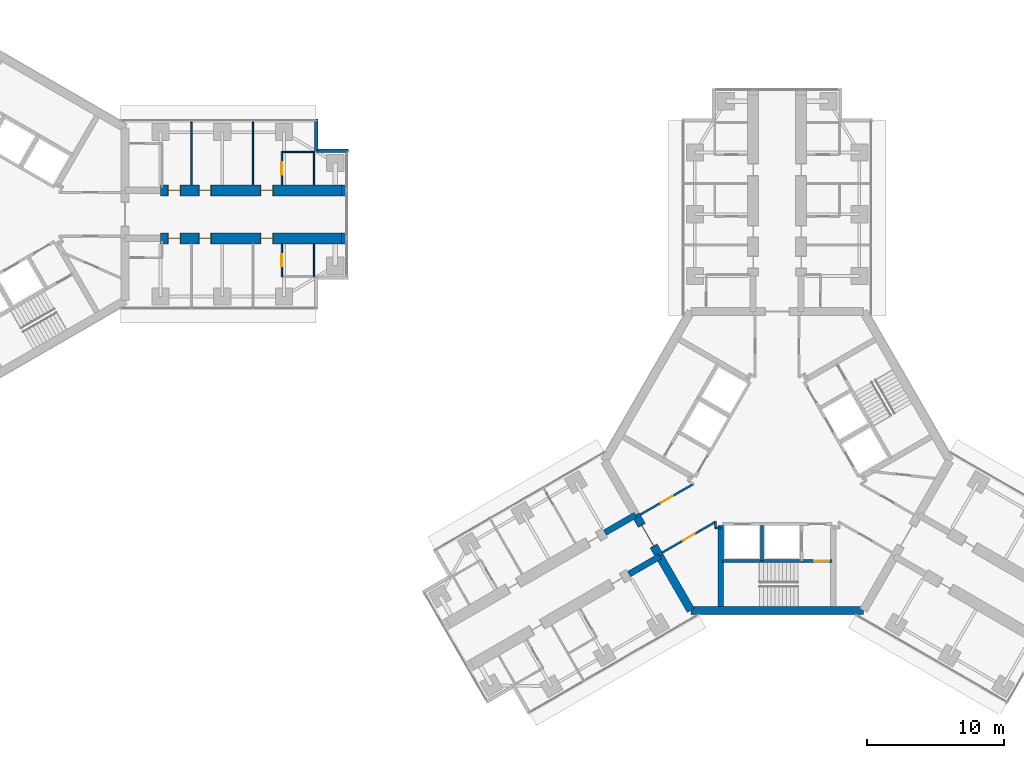
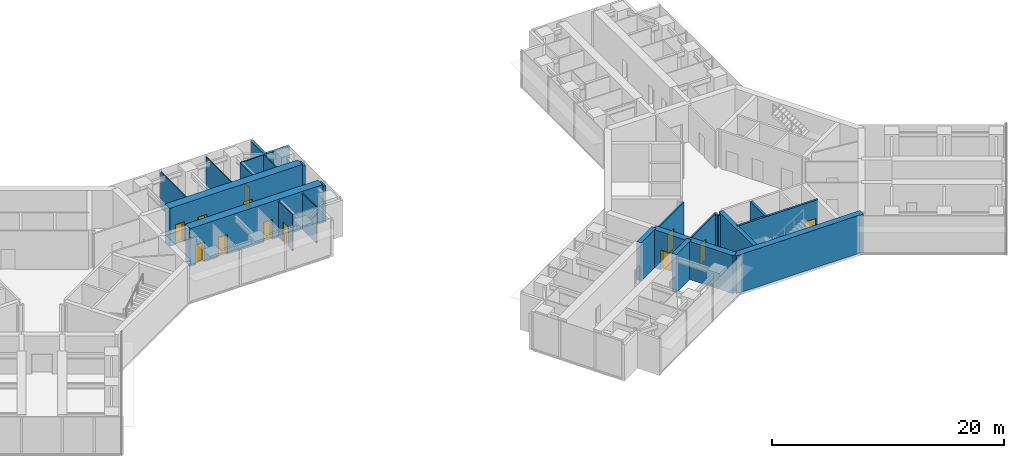
# One storey, part 18 of 23: 25 walls, 12 doors, 12 openings.
"""IFC4 building model written with IfcOpenShell, lengths in metres."""

import ifcopenshell
import ifcopenshell.guid

model = None  # the IFC model being written
_history = None  # IfcOwnerHistory: only IFC2X3 demands one
_inside = {}  # id of a spatial element -> (the spatial element, [elements in it])
_under = {}  # id of a project, library or spatial element -> (it, [spatial elements below it])
_declared = {}  # id of a project -> (the project, [libraries it declares])
_typed = {}  # id of a type object -> (the type object, [elements of that type])
_made_of = {}  # id of a material, layer set ... -> (it, [elements and type objects made of it])


def new_model(schema):
    """Start an empty IFC model of exactly this schema.

    Asked for "IFC4X3", IfcOpenShell would pick the latest addendum, in which some entities
    have other attributes; the version numbers below select the first issue.
    IFC2X3 requires an IfcOwnerHistory on every rooted entity: one is made here for all.
    """
    global model, _history
    if schema == "IFC4X3":
        model = ifcopenshell.file(schema_version=(4, 3, 0, 0))
    else:
        model = ifcopenshell.file(schema=schema)
    _inside.clear()
    _under.clear()
    _declared.clear()
    _typed.clear()
    _made_of.clear()
    _history = None
    if model.schema == "IFC2X3":
        org = make("IfcOrganization", Name="unknown")
        user = make(
            "IfcPersonAndOrganization",
            ThePerson=make("IfcPerson", FamilyName="unknown"),
            TheOrganization=org,
        )
        app = make(
            "IfcApplication",
            ApplicationDeveloper=org,
            Version="unknown",
            ApplicationFullName="unknown",
            ApplicationIdentifier="unknown",
        )
        _history = make(
            "IfcOwnerHistory",
            OwningUser=user,
            OwningApplication=app,
            ChangeAction="ADDED",
            CreationDate=0,
        )
    return model


def make(cls, **values):
    """One entity of the class cls with the attributes given. An attribute that is None is left unset."""
    return model.create_entity(
        cls, **{name: value for name, value in values.items() if value is not None}
    )


def rooted(cls, **values):
    """An entity with a GlobalId (a new one), such as an element, a storey or a relation."""
    return make(cls, GlobalId=ifcopenshell.guid.new(), OwnerHistory=_history, **values)


def si_unit(unit_type, name, prefix=None):
    """IfcSIUnit, for example si_unit("LENGTHUNIT", "METRE", prefix="MILLI")."""
    return make("IfcSIUnit", UnitType=unit_type, Prefix=prefix, Name=name)


def assignment(units):
    """IfcUnitAssignment: the units of a project."""
    return None if units is None else make("IfcUnitAssignment", Units=units)


def point(xyz):
    """IfcCartesianPoint."""
    return None if xyz is None else make("IfcCartesianPoint", Coordinates=xyz)


def direction(xyz):
    """IfcDirection."""
    return None if xyz is None else make("IfcDirection", DirectionRatios=xyz)


def frame(location, z_axis=None, x_axis=None):
    """IfcAxis2Placement3D, a coordinate frame: its origin and axes. An axis left out is left unset."""
    return make(
        "IfcAxis2Placement3D",
        Location=point(location),
        Axis=direction(z_axis),
        RefDirection=direction(x_axis),
    )


def frame_2d(location, x_axis=None):
    """IfcAxis2Placement2D, a coordinate frame in the plane: its origin and x axis."""
    return make(
        "IfcAxis2Placement2D", Location=point(location), RefDirection=direction(x_axis)
    )


def origin():
    """The frame at (0, 0, 0) with its axes left unset."""
    return frame((0.0, 0.0, 0.0))


def place(relative_to, where):
    """IfcLocalPlacement: puts the frame where relative to a parent placement (None: the world)."""
    return make(
        "IfcLocalPlacement", PlacementRelTo=relative_to, RelativePlacement=where
    )


def context(
    kind, dimensions, precision=None, world=None, true_north=None, identifier=None
):
    """IfcGeometricRepresentationContext, for example the 3D "Model" context."""
    return make(
        "IfcGeometricRepresentationContext",
        ContextIdentifier=identifier,
        ContextType=kind,
        CoordinateSpaceDimension=dimensions,
        Precision=precision,
        WorldCoordinateSystem=world,
        TrueNorth=true_north,
    )


def subcontext(parent, identifier, kind, view, scale=None):
    """IfcGeometricRepresentationSubContext, for example "Body" below "Model"."""
    return make(
        "IfcGeometricRepresentationSubContext",
        ContextIdentifier=identifier,
        ContextType=kind,
        ParentContext=parent,
        TargetScale=scale,
        TargetView=view,
    )


def project(units=None, contexts=None):
    """IfcProject with its units and contexts."""
    return rooted(
        "IfcProject",
        Name="project",
        RepresentationContexts=contexts,
        UnitsInContext=assignment(units),
    )


def spatial(cls, under=None, at=None, **own):
    """A site, building, storey or space (cls), placed at a placement, below another one or the project."""
    s = rooted(cls, ObjectPlacement=at, **own)
    if under is not None:
        _under.setdefault(under.id(), (under, []))[1].append(s)
    return s


def profile(cls, at=None, kind="AREA", **sizes):
    """A parametric profile (cls). Its sizes go by their IFC names, for example OverallWidth=200.0."""
    return make(cls, ProfileType=kind, Position=at, **sizes)


def rectangle(**sizes):
    """IfcRectangleProfileDef."""
    return profile("IfcRectangleProfileDef", **sizes)


def extrude(swept, where, along, depth):
    """IfcExtrudedAreaSolid: the profile swept, set in the frame where, extruded along a direction by depth."""
    return make(
        "IfcExtrudedAreaSolid",
        SweptArea=swept,
        Position=where,
        ExtrudedDirection=direction(along),
        Depth=depth,
    )


def shape(context_of_items, identifier, shape_type, items):
    """IfcShapeRepresentation: the items that make up one representation, for example the "Body"."""
    return make(
        "IfcShapeRepresentation",
        ContextOfItems=context_of_items,
        RepresentationIdentifier=identifier,
        RepresentationType=shape_type,
        Items=items,
    )


def material(Name=None, Category=None):
    """IfcMaterial."""
    return make("IfcMaterial", Name=Name, Category=Category)


def layer(
    of_material, thickness, ventilated=None, Name=None, Category=None, Priority=None
):
    """IfcMaterialLayer: one layer of a wall or slab, of a material (None: an air gap)."""
    return make(
        "IfcMaterialLayer",
        Material=of_material,
        LayerThickness=thickness,
        IsVentilated=ventilated,
        Name=Name,
        Category=Category,
        Priority=Priority,
    )


def layer_set(layers, Name=None):
    """IfcMaterialLayerSet."""
    return make("IfcMaterialLayerSet", MaterialLayers=layers, LayerSetName=Name)


def made_of(thing, what):
    """Note that an element or type object is made of a material, layer set ...; save() writes the relation."""
    if what is not None:
        _made_of.setdefault(what.id(), (what, []))[1].append(thing)
    return thing


def type_object(cls, material=None, **own):
    """A type object (cls), such as IfcWallType, which elements share."""
    return made_of(rooted(cls, **own), material)


def element(
    cls,
    number,
    at=None,
    inside=None,
    cuts=None,
    type_object=None,
    material=None,
    context=None,
    identifier="Body",
    shape_type=None,
    held_by="IfcProductDefinitionShape",
    body=None,
    shapes=None,
    **own,
):
    """One element of the class cls, such as IfcWall. Its Tag is "e" and its number.

    at: its placement. inside: the storey or other place that contains it. cuts: it is an
    opening in that element (IfcRelVoidsElement). A single representation is given by context,
    identifier, shape_type and body (its items); several are given by shapes. held_by: the class
    of the entity that holds the representations. save() writes the other relations.
    """
    e = rooted(cls, Tag="e%d" % number, ObjectPlacement=at, **own)
    if body is not None:
        shapes = [shape(context, identifier, shape_type, body)]
    if shapes is not None:
        e.Representation = make(held_by, Representations=shapes)
    if inside is not None:
        _inside.setdefault(inside.id(), (inside, []))[1].append(e)
    if cuts is not None:
        rooted(
            "IfcRelVoidsElement", RelatingBuildingElement=cuts, RelatedOpeningElement=e
        )
    if type_object is not None:
        _typed.setdefault(type_object.id(), (type_object, []))[1].append(e)
    return made_of(e, material)


def fill(opening, filler):
    """IfcRelFillsElement: the door or window that sits in an opening."""
    return rooted(
        "IfcRelFillsElement",
        RelatingOpeningElement=opening,
        RelatedBuildingElement=filler,
    )


def aggregate(whole, parts):
    """IfcRelAggregates: a whole, such as a stair, and the parts it consists of."""
    return rooted("IfcRelAggregates", RelatingObject=whole, RelatedObjects=parts)


def save(model, path):
    """Write the relations noted so far, then the file.

    IfcRelAggregates (storeys below a building ...), IfcRelContainedInSpatialStructure (elements
    in a storey), IfcRelDefinesByType, IfcRelAssociatesMaterial and IfcRelDeclares: one each for
    every whole, place, type object, material and project.
    """
    for whole, parts in _under.values():
        aggregate(whole, parts)
    for where, things in _inside.values():
        rooted(
            "IfcRelContainedInSpatialStructure",
            RelatedElements=things,
            RelatingStructure=where,
        )
    for kind, things in _typed.values():
        rooted("IfcRelDefinesByType", RelatedObjects=things, RelatingType=kind)
    for what, things in _made_of.values():
        rooted("IfcRelAssociatesMaterial", RelatedObjects=things, RelatingMaterial=what)
    for by, libraries in _declared.values():
        rooted("IfcRelDeclares", RelatingContext=by, RelatedDefinitions=libraries)
    model.write(path)


model = new_model("IFC4")

# Units and contexts
model_context = context("Model", 3, precision=1e-05, world=origin(), true_north=direction((0.0, 1.0)))
body_context = subcontext(model_context, "Body", "Model", "MODEL_VIEW")
ifc_project = project(units=[si_unit("LENGTHUNIT", "METRE"), si_unit("AREAUNIT", "SQUARE_METRE"), si_unit("VOLUMEUNIT", "CUBIC_METRE"), si_unit("PLANEANGLEUNIT", "RADIAN"), si_unit("MASSUNIT", "GRAM", prefix="KILO")], contexts=[model_context])

# Site, building, storey
site_placement = place(None, origin())
site = spatial("IfcSite", under=ifc_project, at=site_placement, CompositionType="ELEMENT")
building_placement = place(site_placement, origin())
building = spatial("IfcBuilding", under=site, at=building_placement, Name="Upepo Twin Towers", CompositionType="ELEMENT")
storey_placement = place(building_placement, frame((0.0, 0.0, 145.5)))
storey = spatial("IfcBuildingStorey", under=building, at=storey_placement, Name="L35", CompositionType="ELEMENT", Elevation=145.5)

# Walls
ifc_material_1 = material(Name="Dense concrete blockwork", Category="masonry")
ifc_layer_1 = layer(ifc_material_1, 0.800048828125)
ifc_layer_set_1 = layer_set([ifc_layer_1], Name="Buttress closer 800, blockwork with fire-stopping to the curtain wall")
wall_type_1 = type_object("IfcWallType", Name="Buttress closer 800, blockwork with fire-stopping to the curtain wall", PredefinedType="PARTITIONING", material=ifc_layer_set_1)
for number, where, z_axis, x_axis, name in (
    (1, (26.699951171875, 1.75, 0.0), (0.0, 0.0, 1.0), (1.0, 0.0, 0.0), "T1 L35 wing A buttress closer L"),
    (2, (26.699951171875, -1.75, 0.0), (0.0, 0.0, 1.0), (1.0, 0.0, 0.0), "T1 L35 wing A buttress closer R"),
):
    element("IfcWall", number, at=place(storey_placement, frame(where, z_axis=z_axis, x_axis=x_axis)), inside=storey, type_object=wall_type_1, Name=name, PredefinedType="PARTITIONING", context=body_context, shape_type="SweptSolid", body=[
        extrude(rectangle(XDim=0.300048828125, YDim=0.800048828125, at=frame_2d((0.14990234375, 0.0))), origin(), (0.0, 0.0, 1.0), 3.800048828125),
    ])
ifc_material_2 = material(Name="Concrete C60/75", Category="concrete")
ifc_layer_2 = layer(ifc_material_2, 0.449951171875)
ifc_layer_set_2 = layer_set([ifc_layer_2], Name="Concrete C60/75")
wall_type_2 = type_object("IfcWallType", Name="Buttress wall 450 RC", PredefinedType="SHEAR", material=ifc_layer_set_2)
for number, where, z_axis, x_axis, name in (
    (3, (49.92822265625, -24.9697265625, 0.0), (0.0, 0.0, 1.0), (-0.866031863473, -0.499988811324, 0.0), "T2 wing B buttress wall L"),
    (4, (48.17822265625, -21.938720703125, 0.0), (0.0, 0.0, 1.0), (-0.866072649678, -0.499918158782, 0.0), "T2 wing B buttress wall R"),
):
    element("IfcWall", number, at=place(storey_placement, frame(where, z_axis=z_axis, x_axis=x_axis)), inside=storey, type_object=wall_type_2, Name=name, PredefinedType="SHEAR", context=body_context, shape_type="SweptSolid", body=[
        extrude(rectangle(XDim=2.591796875, YDim=0.449951171875, at=frame_2d((1.2958984375, 0.0))), origin(), (0.0, 0.0, 1.0), 4.0),
    ])

# Wall, openings, doors
ifc_material_3 = material(Name="Concrete C60/75", Category="concrete")
ifc_layer_3 = layer(ifc_material_3, 0.800048828125)
ifc_layer_set_3 = layer_set([ifc_layer_3], Name="Concrete C60/75")
wall_type_3 = type_object("IfcWallType", Name="Buttress wall 800 RC", PredefinedType="SHEAR", material=ifc_layer_set_3)
wall_1_placement = place(storey_placement, frame((13.5, 1.75, 0.0), z_axis=(0.0, 0.0, 1.0), x_axis=(1.0, 0.0, 0.0)))
wall_1 = element("IfcWall", 5, at=wall_1_placement, inside=storey, type_object=wall_type_3, Name="T1 wing A buttress wall L part 2", PredefinedType="SHEAR", context=body_context, shape_type="SweptSolid", body=[
    extrude(rectangle(XDim=13.199951171875, YDim=0.800048828125, at=frame_2d((6.60009765625, 0.0))), origin(), (0.0, 0.0, 1.0), 4.0),
])
opening_1_placement = place(wall_1_placement, frame((0.550048828125, 0.0, 0.0)))
opening_1 = element("IfcOpeningElement", 6, at=opening_1_placement, cuts=wall_1, Name="Opening D11", PredefinedType="OPENING", context=body_context, shape_type="SweptSolid", body=[
    extrude(rectangle(XDim=0.89990234375, YDim=2.10009765625, at=frame_2d((0.449951171875, 1.050048828125))), frame((0.0, 0.409912109375, 0.0), z_axis=(0.0, -1.0, 0.0), x_axis=(1.0, 0.0, 0.0)), (0.0, 0.0, 1.0), 0.820068359375),
])
opening_2_placement = place(wall_1_placement, frame((2.800048828125, 0.0, 0.0)))
opening_2 = element("IfcOpeningElement", 7, at=opening_2_placement, cuts=wall_1, Name="Opening D14", PredefinedType="OPENING", context=body_context, shape_type="SweptSolid", body=[
    extrude(rectangle(XDim=0.89990234375, YDim=2.10009765625, at=frame_2d((0.449951171875, 1.050048828125))), frame((0.0, 0.409912109375, 0.0), z_axis=(0.0, -1.0, 0.0), x_axis=(1.0, 0.0, 0.0)), (0.0, 0.0, 1.0), 0.820068359375),
])
opening_3_placement = place(wall_1_placement, frame((7.300048828125, 0.0, 0.0)))
opening_3 = element("IfcOpeningElement", 8, at=opening_3_placement, cuts=wall_1, Name="Opening D14", PredefinedType="OPENING", context=body_context, shape_type="SweptSolid", body=[
    extrude(rectangle(XDim=0.89990234375, YDim=2.10009765625, at=frame_2d((0.449951171875, 1.050048828125))), frame((0.0, 0.409912109375, 0.0), z_axis=(0.0, -1.0, 0.0), x_axis=(1.0, 0.0, 0.0)), (0.0, 0.0, 1.0), 0.820068359375),
])
ifc_material_4 = material(Name="Timber doorset", Category="wood")
door_type_1 = type_object("IfcDoorType", Name="Office door 900 FD30", OperationType="SINGLE_SWING_LEFT", PredefinedType="DOOR", material=ifc_material_4)
door_1_placement = place(opening_2_placement, origin())
door_1 = element("IfcDoor", 9, at=door_1_placement, inside=storey, type_object=door_type_1, Name="T1 L35 staff office door", OperationType="SINGLE_SWING_LEFT", OverallHeight=2.10009765625, OverallWidth=0.89990234375, PredefinedType="DOOR", context=body_context, shape_type="SweptSolid", body=[
    extrude(rectangle(XDim=0.81990234375, YDim=2.06009765625, at=frame_2d((0.449951171875, 1.030029296875))), frame((0.0, 0.02490234375, 0.0), z_axis=(0.0, -1.0, 0.0), x_axis=(1.0, 0.0, 0.0)), (0.0, 0.0, 1.0), 0.050048828125),
    extrude(rectangle(XDim=0.04, YDim=2.10009765625, at=frame_2d((0.02001953125, 1.050048828125))), frame((0.0, 0.39990234375, 0.0), z_axis=(0.0, -1.0, 0.0), x_axis=(1.0, 0.0, 0.0)), (0.0, 0.0, 1.0), 0.799560546875),
    extrude(rectangle(XDim=0.04, YDim=2.10009765625, at=frame_2d((0.8798828125, 1.050048828125))), frame((0.0, 0.39990234375, 0.0), z_axis=(0.0, -1.0, 0.0), x_axis=(1.0, 0.0, 0.0)), (0.0, 0.0, 1.0), 0.799560546875),
    extrude(rectangle(XDim=0.81990234375, YDim=0.04, at=frame_2d((0.449951171875, 2.080078125))), frame((0.0, 0.39990234375, 0.0), z_axis=(0.0, -1.0, 0.0), x_axis=(1.0, 0.0, 0.0)), (0.0, 0.0, 1.0), 0.799560546875),
])
fill(opening_2, door_1)
door_2_placement = place(opening_3_placement, origin())
door_2 = element("IfcDoor", 10, at=door_2_placement, inside=storey, type_object=door_type_1, Name="T1 L35 postgraduate office door", OperationType="SINGLE_SWING_RIGHT", OverallHeight=2.10009765625, OverallWidth=0.89990234375, PredefinedType="DOOR", context=body_context, shape_type="SweptSolid", body=[
    extrude(rectangle(XDim=0.81990234375, YDim=2.06009765625, at=frame_2d((0.449951171875, 1.030029296875))), frame((0.0, 0.02490234375, 0.0), z_axis=(0.0, -1.0, 0.0), x_axis=(1.0, 0.0, 0.0)), (0.0, 0.0, 1.0), 0.050048828125),
    extrude(rectangle(XDim=0.04, YDim=2.10009765625, at=frame_2d((0.02001953125, 1.050048828125))), frame((0.0, 0.39990234375, 0.0), z_axis=(0.0, -1.0, 0.0), x_axis=(1.0, 0.0, 0.0)), (0.0, 0.0, 1.0), 0.799560546875),
    extrude(rectangle(XDim=0.04, YDim=2.10009765625, at=frame_2d((0.8798828125, 1.050048828125))), frame((0.0, 0.39990234375, 0.0), z_axis=(0.0, -1.0, 0.0), x_axis=(1.0, 0.0, 0.0)), (0.0, 0.0, 1.0), 0.799560546875),
    extrude(rectangle(XDim=0.81990234375, YDim=0.04, at=frame_2d((0.449951171875, 2.080078125))), frame((0.0, 0.39990234375, 0.0), z_axis=(0.0, -1.0, 0.0), x_axis=(1.0, 0.0, 0.0)), (0.0, 0.0, 1.0), 0.799560546875),
])
fill(opening_3, door_2)
ifc_material_5 = material(Name="Timber doorset", Category="wood")
door_type_2 = type_object("IfcDoorType", Name="Toilet door 900", OperationType="SINGLE_SWING_LEFT", PredefinedType="DOOR", material=ifc_material_5)
door_3_placement = place(opening_1_placement, origin())
door_3 = element("IfcDoor", 11, at=door_3_placement, inside=storey, type_object=door_type_2, Name="T1 L35 accessible wc door", OperationType="SINGLE_SWING_LEFT", OverallHeight=2.10009765625, OverallWidth=0.89990234375, PredefinedType="DOOR", context=body_context, shape_type="SweptSolid", body=[
    extrude(rectangle(XDim=0.81990234375, YDim=2.06009765625, at=frame_2d((0.449951171875, 1.030029296875))), frame((0.0, 0.02490234375, 0.0), z_axis=(0.0, -1.0, 0.0), x_axis=(1.0, 0.0, 0.0)), (0.0, 0.0, 1.0), 0.050048828125),
    extrude(rectangle(XDim=0.04, YDim=2.10009765625, at=frame_2d((0.02001953125, 1.050048828125))), frame((0.0, 0.39990234375, 0.0), z_axis=(0.0, -1.0, 0.0), x_axis=(1.0, 0.0, 0.0)), (0.0, 0.0, 1.0), 0.799560546875),
    extrude(rectangle(XDim=0.04, YDim=2.10009765625, at=frame_2d((0.8798828125, 1.050048828125))), frame((0.0, 0.39990234375, 0.0), z_axis=(0.0, -1.0, 0.0), x_axis=(1.0, 0.0, 0.0)), (0.0, 0.0, 1.0), 0.799560546875),
    extrude(rectangle(XDim=0.81990234375, YDim=0.04, at=frame_2d((0.449951171875, 2.080078125))), frame((0.0, 0.39990234375, 0.0), z_axis=(0.0, -1.0, 0.0), x_axis=(1.0, 0.0, 0.0)), (0.0, 0.0, 1.0), 0.799560546875),
])
fill(opening_1, door_3)

wall_2_placement = place(storey_placement, frame((13.5, -1.75, 0.0), z_axis=(0.0, 0.0, 1.0), x_axis=(1.0, 0.0, 0.0)))
wall_2 = element("IfcWall", 12, at=wall_2_placement, inside=storey, type_object=wall_type_3, Name="T1 wing A buttress wall R part 2", PredefinedType="SHEAR", context=body_context, shape_type="SweptSolid", body=[
    extrude(rectangle(XDim=13.199951171875, YDim=0.800048828125, at=frame_2d((6.60009765625, 0.0))), origin(), (0.0, 0.0, 1.0), 4.0),
])
opening_4_placement = place(wall_2_placement, frame((0.550048828125, 0.0, 0.0)))
opening_4 = element("IfcOpeningElement", 13, at=opening_4_placement, cuts=wall_2, Name="Opening D11", PredefinedType="OPENING", context=body_context, shape_type="SweptSolid", body=[
    extrude(rectangle(XDim=0.89990234375, YDim=2.10009765625, at=frame_2d((0.449951171875, 1.050048828125))), frame((0.0, 0.409912109375, 0.0), z_axis=(0.0, -1.0, 0.0), x_axis=(1.0, 0.0, 0.0)), (0.0, 0.0, 1.0), 0.820068359375),
])
opening_5_placement = place(wall_2_placement, frame((2.800048828125, 0.0, 0.0)))
opening_5 = element("IfcOpeningElement", 14, at=opening_5_placement, cuts=wall_2, Name="Opening D14", PredefinedType="OPENING", context=body_context, shape_type="SweptSolid", body=[
    extrude(rectangle(XDim=0.89990234375, YDim=2.10009765625, at=frame_2d((0.449951171875, 1.050048828125))), frame((0.0, 0.409912109375, 0.0), z_axis=(0.0, -1.0, 0.0), x_axis=(1.0, 0.0, 0.0)), (0.0, 0.0, 1.0), 0.820068359375),
])
opening_6_placement = place(wall_2_placement, frame((7.300048828125, 0.0, 0.0)))
opening_6 = element("IfcOpeningElement", 15, at=opening_6_placement, cuts=wall_2, Name="Opening D14", PredefinedType="OPENING", context=body_context, shape_type="SweptSolid", body=[
    extrude(rectangle(XDim=0.89990234375, YDim=2.10009765625, at=frame_2d((0.449951171875, 1.050048828125))), frame((0.0, 0.409912109375, 0.0), z_axis=(0.0, -1.0, 0.0), x_axis=(1.0, 0.0, 0.0)), (0.0, 0.0, 1.0), 0.820068359375),
])
door_4_placement = place(opening_5_placement, origin())
door_4 = element("IfcDoor", 16, at=door_4_placement, inside=storey, type_object=door_type_1, Name="T1 L35 meeting room door", OperationType="SINGLE_SWING_LEFT", OverallHeight=2.10009765625, OverallWidth=0.89990234375, PredefinedType="DOOR", context=body_context, shape_type="SweptSolid", body=[
    extrude(rectangle(XDim=0.81990234375, YDim=2.06009765625, at=frame_2d((0.449951171875, 1.030029296875))), frame((0.0, 0.02490234375, 0.0), z_axis=(0.0, -1.0, 0.0), x_axis=(1.0, 0.0, 0.0)), (0.0, 0.0, 1.0), 0.050048828125),
    extrude(rectangle(XDim=0.04, YDim=2.10009765625, at=frame_2d((0.02001953125, 1.050048828125))), frame((0.0, 0.39990234375, 0.0), z_axis=(0.0, -1.0, 0.0), x_axis=(1.0, 0.0, 0.0)), (0.0, 0.0, 1.0), 0.799560546875),
    extrude(rectangle(XDim=0.04, YDim=2.10009765625, at=frame_2d((0.8798828125, 1.050048828125))), frame((0.0, 0.39990234375, 0.0), z_axis=(0.0, -1.0, 0.0), x_axis=(1.0, 0.0, 0.0)), (0.0, 0.0, 1.0), 0.799560546875),
    extrude(rectangle(XDim=0.81990234375, YDim=0.04, at=frame_2d((0.449951171875, 2.080078125))), frame((0.0, 0.39990234375, 0.0), z_axis=(0.0, -1.0, 0.0), x_axis=(1.0, 0.0, 0.0)), (0.0, 0.0, 1.0), 0.799560546875),
])
fill(opening_5, door_4)
door_5_placement = place(opening_6_placement, origin())
door_5 = element("IfcDoor", 17, at=door_5_placement, inside=storey, type_object=door_type_1, Name="T1 L35 staff office door", OperationType="SINGLE_SWING_RIGHT", OverallHeight=2.10009765625, OverallWidth=0.89990234375, PredefinedType="DOOR", context=body_context, shape_type="SweptSolid", body=[
    extrude(rectangle(XDim=0.81990234375, YDim=2.06009765625, at=frame_2d((0.449951171875, 1.030029296875))), frame((0.0, 0.02490234375, 0.0), z_axis=(0.0, -1.0, 0.0), x_axis=(1.0, 0.0, 0.0)), (0.0, 0.0, 1.0), 0.050048828125),
    extrude(rectangle(XDim=0.04, YDim=2.10009765625, at=frame_2d((0.02001953125, 1.050048828125))), frame((0.0, 0.39990234375, 0.0), z_axis=(0.0, -1.0, 0.0), x_axis=(1.0, 0.0, 0.0)), (0.0, 0.0, 1.0), 0.799560546875),
    extrude(rectangle(XDim=0.04, YDim=2.10009765625, at=frame_2d((0.8798828125, 1.050048828125))), frame((0.0, 0.39990234375, 0.0), z_axis=(0.0, -1.0, 0.0), x_axis=(1.0, 0.0, 0.0)), (0.0, 0.0, 1.0), 0.799560546875),
    extrude(rectangle(XDim=0.81990234375, YDim=0.04, at=frame_2d((0.449951171875, 2.080078125))), frame((0.0, 0.39990234375, 0.0), z_axis=(0.0, -1.0, 0.0), x_axis=(1.0, 0.0, 0.0)), (0.0, 0.0, 1.0), 0.799560546875),
])
fill(opening_6, door_5)
door_6_placement = place(opening_4_placement, origin())
door_6 = element("IfcDoor", 18, at=door_6_placement, inside=storey, type_object=door_type_2, Name="T1 L35 toilets door", OperationType="SINGLE_SWING_LEFT", OverallHeight=2.10009765625, OverallWidth=0.89990234375, PredefinedType="DOOR", context=body_context, shape_type="SweptSolid", body=[
    extrude(rectangle(XDim=0.81990234375, YDim=2.06009765625, at=frame_2d((0.449951171875, 1.030029296875))), frame((0.0, 0.02490234375, 0.0), z_axis=(0.0, -1.0, 0.0), x_axis=(1.0, 0.0, 0.0)), (0.0, 0.0, 1.0), 0.050048828125),
    extrude(rectangle(XDim=0.04, YDim=2.10009765625, at=frame_2d((0.02001953125, 1.050048828125))), frame((0.0, 0.39990234375, 0.0), z_axis=(0.0, -1.0, 0.0), x_axis=(1.0, 0.0, 0.0)), (0.0, 0.0, 1.0), 0.799560546875),
    extrude(rectangle(XDim=0.04, YDim=2.10009765625, at=frame_2d((0.8798828125, 1.050048828125))), frame((0.0, 0.39990234375, 0.0), z_axis=(0.0, -1.0, 0.0), x_axis=(1.0, 0.0, 0.0)), (0.0, 0.0, 1.0), 0.799560546875),
    extrude(rectangle(XDim=0.81990234375, YDim=0.04, at=frame_2d((0.449951171875, 2.080078125))), frame((0.0, 0.39990234375, 0.0), z_axis=(0.0, -1.0, 0.0), x_axis=(1.0, 0.0, 0.0)), (0.0, 0.0, 1.0), 0.799560546875),
])
fill(opening_4, door_6)

# Wall, opening, door
ifc_material_6 = material(Name="Concrete C60/75", Category="concrete")
ifc_layer_4 = layer(ifc_material_6, 0.60009765625)
ifc_layer_set_4 = layer_set([ifc_layer_4], Name="Concrete C60/75")
wall_type_4 = type_object("IfcWallType", Name="Core wall 600 RC", PredefinedType="SHEAR", material=ifc_layer_set_4)
wall_3_placement = place(storey_placement, frame((48.17822265625, -21.938720703125, 0.0), z_axis=(0.0, 0.0, 1.0), x_axis=(0.500010275428, -0.866019471182, 0.0)))
wall_3 = element("IfcWall", 19, at=wall_3_placement, inside=storey, type_object=wall_type_4, Name="T2 core wall 120", PredefinedType="SHEAR", context=body_context, shape_type="SweptSolid", body=[
    extrude(rectangle(XDim=3.5, YDim=0.60009765625, at=frame_2d((1.75, 0.0))), origin(), (0.0, 0.0, 1.0), 4.0),
])
opening_7_placement = place(wall_3_placement, frame((0.85009765625, 0.0, 0.0)))
opening_7 = element("IfcOpeningElement", 20, at=opening_7_placement, cuts=wall_3, Name="Opening D2", PredefinedType="OPENING", context=body_context, shape_type="SweptSolid", body=[
    extrude(rectangle(XDim=1.800048828125, YDim=2.10009765625, at=frame_2d((0.89990234375, 1.050048828125))), frame((0.0, 0.31005859375, 0.0), z_axis=(0.0, -1.0, 0.0), x_axis=(1.0, 0.0, 0.0)), (0.0, 0.0, 1.0), 0.6201171875),
])
ifc_material_7 = material(Name="Timber doorset", Category="wood")
door_type_3 = type_object("IfcDoorType", Name="Corridor double door 1800 FD60", OperationType="DOUBLE_DOOR_DOUBLE_SWING", PredefinedType="DOOR", material=ifc_material_7)
door_7_placement = place(opening_7_placement, origin())
door_7 = element("IfcDoor", 21, at=door_7_placement, inside=storey, type_object=door_type_3, Name="T2 L35 wing B corridor door", OperationType="DOUBLE_DOOR_DOUBLE_SWING", OverallHeight=2.10009765625, OverallWidth=1.800048828125, PredefinedType="DOOR", context=body_context, shape_type="SweptSolid", body=[
    extrude(rectangle(XDim=1.720048828125, YDim=2.06009765625, at=frame_2d((0.89990234375, 1.030029296875))), frame((0.0, 0.02490234375, 0.0), z_axis=(0.0, -1.0, 0.0), x_axis=(1.0, 0.0, 0.0)), (0.0, 0.0, 1.0), 0.050048828125),
    extrude(rectangle(XDim=0.04, YDim=2.10009765625, at=frame_2d((0.02001953125, 1.050048828125))), frame((0.0, 0.2998046875, 0.0), z_axis=(0.0, -1.0, 0.0), x_axis=(1.0, 0.0, 0.0)), (0.0, 0.0, 1.0), 0.599609375),
    extrude(rectangle(XDim=0.04, YDim=2.10009765625, at=frame_2d((1.780029296875, 1.050048828125))), frame((0.0, 0.2998046875, 0.0), z_axis=(0.0, -1.0, 0.0), x_axis=(1.0, 0.0, 0.0)), (0.0, 0.0, 1.0), 0.599609375),
    extrude(rectangle(XDim=1.720048828125, YDim=0.04, at=frame_2d((0.89990234375, 2.080078125))), frame((0.0, 0.2998046875, 0.0), z_axis=(0.0, -1.0, 0.0), x_axis=(1.0, 0.0, 0.0)), (0.0, 0.0, 1.0), 0.599609375),
])
fill(opening_7, door_7)

# Walls
wall_4_placement = place(storey_placement, frame((49.92822265625, -24.9697265625, 0.0), z_axis=(0.0, 0.0, 1.0), x_axis=(0.499984222037, -0.866034513004, 0.0)))
element("IfcWall", 22, at=wall_4_placement, inside=storey, type_object=wall_type_4, Name="T2 core wall 120 L", PredefinedType="SHEAR", context=body_context, shape_type="SweptSolid", body=[
    extrude(rectangle(XDim=4.548095703125, YDim=0.60009765625, at=frame_2d((2.27392578125, 0.0))), origin(), (0.0, 0.0, 1.0), 4.0),
])
wall_5_placement = place(storey_placement, frame((52.2021484375, -28.908447265625, 0.0), z_axis=(0.0, 0.0, 1.0), x_axis=(1.0, 0.0, 0.0)))
element("IfcWall", 23, at=wall_5_placement, inside=storey, type_object=wall_type_4, Name="T2 core wall 180", PredefinedType="SHEAR", context=body_context, shape_type="SweptSolid", body=[
    extrude(rectangle(XDim=12.595703125, YDim=0.60009765625, at=frame_2d((6.2978515625, 0.0))), origin(), (0.0, 0.0, 1.0), 4.0),
])
ifc_material_8 = material(Name="Blockwork with anodised aluminium cladding", Category="masonry")
ifc_layer_5 = layer(ifc_material_8, 0.25)
ifc_layer_set_5 = layer_set([ifc_layer_5], Name="Notch cladding wall 250, pale metal")
wall_type_5 = type_object("IfcWallType", Name="Notch cladding wall 250, pale metal", PredefinedType="STANDARD", material=ifc_layer_set_5)
for number, where, z_axis, x_axis, name in (
    (24, (24.875, 6.949951171875, 0.0), (0.0, 0.0, 1.0), (0.0, -1.0, 0.0), "T1 L35 wing A notch wall L1"),
    (25, (24.875, 4.625, 0.0), (0.0, 0.0, 1.0), (1.0, 0.0, 0.0), "T1 L35 wing A notch wall L2"),
):
    element("IfcWall", number, at=place(storey_placement, frame(where, z_axis=z_axis, x_axis=x_axis)), inside=storey, type_object=wall_type_5, Name=name, PredefinedType="STANDARD", context=body_context, shape_type="SweptSolid", body=[
        extrude(rectangle(XDim=2.324951171875, YDim=0.25, at=frame_2d((1.16259765625, 0.0))), origin(), (0.0, 0.0, 1.0), 3.800048828125),
    ])
ifc_material_9 = material(Name="Gypsum board on steel studs", Category="steel")
ifc_layer_6 = layer(ifc_material_9, 0.10009765625)
ifc_layer_set_6 = layer_set([ifc_layer_6], Name="Office partition 100 stud")
wall_type_6 = type_object("IfcWallType", Name="Office partition 100 stud", PredefinedType="PARTITIONING", material=ifc_layer_set_6)
for number, where, z_axis, x_axis, name in (
    (26, (15.75, 2.14990234375, 0.0), (0.0, 0.0, 1.0), (0.0, 1.0, 0.0), "T1 partition AL at 15.75"),
    (27, (20.25, 2.14990234375, 0.0), (0.0, 0.0, 1.0), (0.0, 1.0, 0.0), "T1 partition AL at 20.25"),
):
    element("IfcWall", number, at=place(storey_placement, frame(where, z_axis=z_axis, x_axis=x_axis)), inside=storey, type_object=wall_type_6, Name=name, PredefinedType="PARTITIONING", context=body_context, shape_type="SweptSolid", body=[
        extrude(rectangle(XDim=4.60009765625, YDim=0.10009765625, at=frame_2d((2.300048828125, 0.0))), origin(), (0.0, 0.0, 1.0), 3.800048828125),
    ])
wall_6_placement = place(storey_placement, frame((22.35009765625, 4.550048828125, 0.0), z_axis=(0.0, 0.0, 1.0), x_axis=(1.0, 0.0, 0.0)))
element("IfcWall", 28, at=wall_6_placement, inside=storey, type_object=wall_type_6, Name="T1 inner room partition AL at 22.35", PredefinedType="PARTITIONING", context=body_context, shape_type="SweptSolid", body=[
    extrude(rectangle(XDim=2.39990234375, YDim=0.10009765625, at=frame_2d((1.199951171875, 0.0))), origin(), (0.0, 0.0, 1.0), 3.800048828125),
])

# Wall, opening, door
wall_7_placement = place(storey_placement, frame((22.35009765625, 2.14990234375, 0.0), z_axis=(0.0, 0.0, 1.0), x_axis=(0.0, 1.0, 0.0)))
wall_7 = element("IfcWall", 29, at=wall_7_placement, inside=storey, type_object=wall_type_6, Name="T1 inner room partition AL end at 22.35", PredefinedType="PARTITIONING", context=body_context, shape_type="SweptSolid", body=[
    extrude(rectangle(XDim=2.400146484375, YDim=0.10009765625, at=frame_2d((1.2001953125, 0.0))), origin(), (0.0, 0.0, 1.0), 3.800048828125),
])
opening_8_placement = place(wall_7_placement, frame((0.75, 0.0, 0.0)))
opening_8 = element("IfcOpeningElement", 30, at=opening_8_placement, cuts=wall_7, Name="Opening D14", PredefinedType="OPENING", context=body_context, shape_type="SweptSolid", body=[
    extrude(rectangle(XDim=0.89990234375, YDim=2.10009765625, at=frame_2d((0.449951171875, 1.050048828125))), frame((0.0, 0.06005859375, 0.0), z_axis=(0.0, -1.0, 0.0), x_axis=(1.0, 0.0, 0.0)), (0.0, 0.0, 1.0), 0.1201171875),
])
door_8_placement = place(opening_8_placement, origin())
door_8 = element("IfcDoor", 31, at=door_8_placement, inside=storey, type_object=door_type_1, Name="T1 L35 inner room door", OperationType="SINGLE_SWING_LEFT", OverallHeight=2.10009765625, OverallWidth=0.89990234375, PredefinedType="DOOR", context=body_context, shape_type="SweptSolid", body=[
    extrude(rectangle(XDim=0.89990234375, YDim=2.10009765625, at=frame_2d((0.449951171875, 1.050048828125))), frame((0.0, 0.02490234375, 0.0), z_axis=(0.0, -1.0, 0.0), x_axis=(1.0, 0.0, 0.0)), (0.0, 0.0, 1.0), 0.050048828125),
])
fill(opening_8, door_8)

# Wall
wall_8_placement = place(storey_placement, frame((24.699951171875, 2.14990234375, 0.0), z_axis=(0.0, 0.0, 1.0), x_axis=(0.0, 1.0, 0.0)))
element("IfcWall", 32, at=wall_8_placement, inside=storey, type_object=wall_type_6, Name="T1 inner room partition AL end at 24.75", PredefinedType="PARTITIONING", context=body_context, shape_type="SweptSolid", body=[
    extrude(rectangle(XDim=2.400146484375, YDim=0.10009765625, at=frame_2d((1.2001953125, 0.0))), origin(), (0.0, 0.0, 1.0), 3.800048828125),
])

# Wall, opening, door
wall_9_placement = place(storey_placement, frame((22.35009765625, -2.14990234375, 0.0), z_axis=(0.0, 0.0, 1.0), x_axis=(0.0, -1.0, 0.0)))
wall_9 = element("IfcWall", 33, at=wall_9_placement, inside=storey, type_object=wall_type_6, Name="T1 inner room partition AR end at 22.35", PredefinedType="PARTITIONING", context=body_context, shape_type="SweptSolid", body=[
    extrude(rectangle(XDim=2.400146484375, YDim=0.10009765625, at=frame_2d((1.2001953125, 0.0))), origin(), (0.0, 0.0, 1.0), 3.800048828125),
])
opening_9_placement = place(wall_9_placement, frame((0.75, 0.0, 0.0)))
opening_9 = element("IfcOpeningElement", 34, at=opening_9_placement, cuts=wall_9, Name="Opening D14", PredefinedType="OPENING", context=body_context, shape_type="SweptSolid", body=[
    extrude(rectangle(XDim=0.89990234375, YDim=2.10009765625, at=frame_2d((0.449951171875, 1.050048828125))), frame((0.0, 0.06005859375, 0.0), z_axis=(0.0, -1.0, 0.0), x_axis=(1.0, 0.0, 0.0)), (0.0, 0.0, 1.0), 0.1201171875),
])
door_9_placement = place(opening_9_placement, origin())
door_9 = element("IfcDoor", 35, at=door_9_placement, inside=storey, type_object=door_type_1, Name="T1 L35 inner room door", OperationType="SINGLE_SWING_LEFT", OverallHeight=2.10009765625, OverallWidth=0.89990234375, PredefinedType="DOOR", context=body_context, shape_type="SweptSolid", body=[
    extrude(rectangle(XDim=0.89990234375, YDim=2.10009765625, at=frame_2d((0.449951171875, 1.050048828125))), frame((0.0, 0.02490234375, 0.0), z_axis=(0.0, -1.0, 0.0), x_axis=(1.0, 0.0, 0.0)), (0.0, 0.0, 1.0), 0.050048828125),
])
fill(opening_9, door_9)

# Walls
wall_10_placement = place(storey_placement, frame((24.699951171875, -2.14990234375, 0.0), z_axis=(0.0, 0.0, 1.0), x_axis=(0.0, -1.0, 0.0)))
element("IfcWall", 36, at=wall_10_placement, inside=storey, type_object=wall_type_6, Name="T1 inner room partition AR end at 24.75", PredefinedType="PARTITIONING", context=body_context, shape_type="SweptSolid", body=[
    extrude(rectangle(XDim=2.400146484375, YDim=0.10009765625, at=frame_2d((1.2001953125, 0.0))), origin(), (0.0, 0.0, 1.0), 3.800048828125),
])
ifc_material_10 = material(Name="Concrete C40/50", Category="concrete")
ifc_layer_7 = layer(ifc_material_10, 0.199951171875)
ifc_layer_set_7 = layer_set([ifc_layer_7], Name="Concrete C40/50")
wall_type_7 = type_object("IfcWallType", Name="Shaft wall 200 RC", PredefinedType="SHEAR", material=ifc_layer_set_7)
wall_11_placement = place(storey_placement, frame((57.39990234375, -22.699951171875, 0.0), z_axis=(0.0, 0.0, 1.0), x_axis=(0.0, -1.0, 0.0)))
element("IfcWall", 37, at=wall_11_placement, inside=storey, type_object=wall_type_7, Name="T2 core W180 shaft divider", PredefinedType="SHEAR", context=body_context, shape_type="SweptSolid", body=[
    extrude(rectangle(XDim=2.60009765625, YDim=0.199951171875, at=frame_2d((1.300048828125, 0.0))), origin(), (0.0, 0.0, 1.0), 4.0),
])

# Wall, opening, door
wall_12_placement = place(storey_placement, frame((54.5, -25.300048828125, 0.0), z_axis=(0.0, 0.0, 1.0), x_axis=(1.0, 0.0, 0.0)))
wall_12 = element("IfcWall", 38, at=wall_12_placement, inside=storey, type_object=wall_type_7, Name="T2 core W180 stair wall", PredefinedType="SHEAR", context=body_context, shape_type="SweptSolid", body=[
    extrude(rectangle(XDim=8.0, YDim=0.199951171875, at=frame_2d((4.0, 0.0))), origin(), (0.0, 0.0, 1.0), 4.0),
])
opening_10_placement = place(wall_12_placement, frame((6.699951171875, 0.0, 0.0)))
opening_10 = element("IfcOpeningElement", 39, at=opening_10_placement, cuts=wall_12, Name="Opening D3", PredefinedType="OPENING", context=body_context, shape_type="SweptSolid", body=[
    extrude(rectangle(XDim=1.10009765625, YDim=2.10009765625, at=frame_2d((0.550048828125, 1.050048828125))), frame((0.0, 0.10986328125, 0.0), z_axis=(0.0, -1.0, 0.0), x_axis=(1.0, 0.0, 0.0)), (0.0, 0.0, 1.0), 0.219970703125),
])
ifc_material_11 = material(Name="Timber doorset", Category="wood")
door_type_4 = type_object("IfcDoorType", Name="Stair door 1100 FD60", OperationType="SINGLE_SWING_LEFT", PredefinedType="DOOR", material=ifc_material_11)
door_10_placement = place(opening_10_placement, origin())
door_10 = element("IfcDoor", 40, at=door_10_placement, inside=storey, type_object=door_type_4, Name="T2 L35 stair door", OperationType="SINGLE_SWING_RIGHT", OverallHeight=2.10009765625, OverallWidth=1.10009765625, PredefinedType="DOOR", context=body_context, shape_type="SweptSolid", body=[
    extrude(rectangle(XDim=1.10009765625, YDim=2.10009765625, at=frame_2d((0.550048828125, 1.050048828125))), frame((0.0, 0.02490234375, 0.0), z_axis=(0.0, -1.0, 0.0), x_axis=(1.0, 0.0, 0.0)), (0.0, 0.0, 1.0), 0.050048828125),
])
fill(opening_10, door_10)

# Walls
ifc_material_12 = material(Name="Concrete C40/50", Category="concrete")
ifc_layer_8 = layer(ifc_material_12, 0.39990234375)
ifc_layer_set_8 = layer_set([ifc_layer_8], Name="Concrete C40/50")
wall_type_8 = type_object("IfcWallType", Name="Shaft wall 400 RC", PredefinedType="SHEAR", material=ifc_layer_set_8)
wall_13_placement = place(storey_placement, frame((54.39990234375, -22.699951171875, 0.0), z_axis=(0.0, 0.0, 1.0), x_axis=(0.0, -1.0, 0.0)))
element("IfcWall", 41, at=wall_13_placement, inside=storey, type_object=wall_type_8, Name="T2 core W180 side wall S", PredefinedType="SHEAR", context=body_context, shape_type="SweptSolid", body=[
    extrude(rectangle(XDim=5.908447265625, YDim=0.39990234375, at=frame_2d((2.9541015625, 0.0))), origin(), (0.0, 0.0, 1.0), 4.0),
])
ifc_material_13 = material(Name="Gypsum board on steel studs", Category="steel")
ifc_layer_9 = layer(ifc_material_13, 0.14990234375)
ifc_layer_set_9 = layer_set([ifc_layer_9], Name="Teaching partition 150 acoustic")
wall_type_9 = type_object("IfcWallType", Name="Teaching partition 150 acoustic", PredefinedType="PARTITIONING", material=ifc_layer_set_9)
wall_14_placement = place(storey_placement, frame((54.0, -22.919921875, 0.0), z_axis=(0.0, 0.0, 1.0), x_axis=(0.0, 1.0, 0.0)))
element("IfcWall", 42, at=wall_14_placement, inside=storey, type_object=wall_type_9, Name="T2 core room partition 1", PredefinedType="PARTITIONING", context=body_context, shape_type="SweptSolid", body=[
    extrude(rectangle(XDim=0.494384765625, YDim=0.14990234375, at=frame_2d((0.2470703125, 0.0))), origin(), (0.0, 0.0, 1.0), 3.800048828125),
])

# Wall, opening, door
wall_15_placement = place(storey_placement, frame((54.017333984375, -22.435546875, 0.0), z_axis=(0.0, 0.0, 1.0), x_axis=(-0.86602002524, -0.500009315796, 0.0)))
wall_15 = element("IfcWall", 43, at=wall_15_placement, inside=storey, type_object=wall_type_9, Name="T2 core room partition 2", PredefinedType="PARTITIONING", context=body_context, shape_type="SweptSolid", body=[
    extrude(rectangle(XDim=4.5185546875, YDim=0.14990234375, at=frame_2d((2.25927734375, 0.0))), origin(), (0.0, 0.0, 1.0), 3.800048828125),
])
opening_11_placement = place(wall_15_placement, frame((1.769287109375, 0.0, 0.0)))
opening_11 = element("IfcOpeningElement", 44, at=opening_11_placement, cuts=wall_15, Name="Opening D1", PredefinedType="OPENING", context=body_context, shape_type="SweptSolid", body=[
    extrude(rectangle(XDim=1.0, YDim=2.10009765625, at=frame_2d((0.5, 1.050048828125))), frame((0.0, 0.0849609375, 0.0), z_axis=(0.0, -1.0, 0.0), x_axis=(1.0, 0.0, 0.0)), (0.0, 0.0, 1.0), 0.169921875),
])
ifc_material_14 = material(Name="Timber doorset", Category="wood")
door_type_5 = type_object("IfcDoorType", Name="Room door 1000 FD30", OperationType="SINGLE_SWING_LEFT", PredefinedType="DOOR", material=ifc_material_14)
door_11_placement = place(opening_11_placement, origin())
door_11 = element("IfcDoor", 45, at=door_11_placement, inside=storey, type_object=door_type_5, Name="T2 L35 core room door K2", OperationType="SINGLE_SWING_RIGHT", OverallHeight=2.10009765625, OverallWidth=1.0, PredefinedType="DOOR", context=body_context, shape_type="SweptSolid", body=[
    extrude(rectangle(XDim=1.0, YDim=2.10009765625, at=frame_2d((0.5, 1.050048828125))), frame((0.0, 0.02490234375, 0.0), z_axis=(0.0, -1.0, 0.0), x_axis=(1.0, 0.0, 0.0)), (0.0, 0.0, 1.0), 0.050048828125),
])
fill(opening_11, door_11)

wall_16_placement = place(storey_placement, frame((48.50439453125, -21.923583984375, 0.0), z_axis=(0.0, 0.0, 1.0), x_axis=(0.866006515865, 0.500032713409, 0.0)))
wall_16 = element("IfcWall", 46, at=wall_16_placement, inside=storey, type_object=wall_type_9, Name="T2 core room partition 3", PredefinedType="PARTITIONING", context=body_context, shape_type="SweptSolid", body=[
    extrude(rectangle(XDim=4.518310546875, YDim=0.14990234375, at=frame_2d((2.25927734375, 0.0))), origin(), (0.0, 0.0, 1.0), 3.800048828125),
])
opening_12_placement = place(wall_16_placement, frame((1.7490234375, 0.0, 0.0)))
opening_12 = element("IfcOpeningElement", 47, at=opening_12_placement, cuts=wall_16, Name="Opening D1", PredefinedType="OPENING", context=body_context, shape_type="SweptSolid", body=[
    extrude(rectangle(XDim=1.0, YDim=2.10009765625, at=frame_2d((0.5, 1.050048828125))), frame((0.0, 0.0849609375, 0.0), z_axis=(0.0, -1.0, 0.0), x_axis=(1.0, 0.0, 0.0)), (0.0, 0.0, 1.0), 0.169921875),
])
door_12_placement = place(opening_12_placement, origin())
door_12 = element("IfcDoor", 48, at=door_12_placement, inside=storey, type_object=door_type_5, Name="T2 L35 core room door K1", OperationType="SINGLE_SWING_LEFT", OverallHeight=2.10009765625, OverallWidth=1.0, PredefinedType="DOOR", context=body_context, shape_type="SweptSolid", body=[
    extrude(rectangle(XDim=1.0, YDim=2.10009765625, at=frame_2d((0.5, 1.050048828125))), frame((0.0, 0.02490234375, 0.0), z_axis=(0.0, -1.0, 0.0), x_axis=(1.0, 0.0, 0.0)), (0.0, 0.0, 1.0), 0.050048828125),
])
fill(opening_12, door_12)

# Wall
wall_17_placement = place(storey_placement, frame((54.409912109375, -22.89990234375, 0.0), z_axis=(0.0, 0.0, 1.0), x_axis=(-1.0, 0.0, 0.0)))
element("IfcWall", 49, at=wall_17_placement, inside=storey, type_object=wall_type_9, Name="T2 core room partition 18", PredefinedType="PARTITIONING", context=body_context, shape_type="SweptSolid", body=[
    extrude(rectangle(XDim=0.429931640625, YDim=0.14990234375, at=frame_2d((0.21484375, 0.0))), origin(), (0.0, 0.0, 1.0), 3.800048828125),
])

save(model, "model.ifc")
